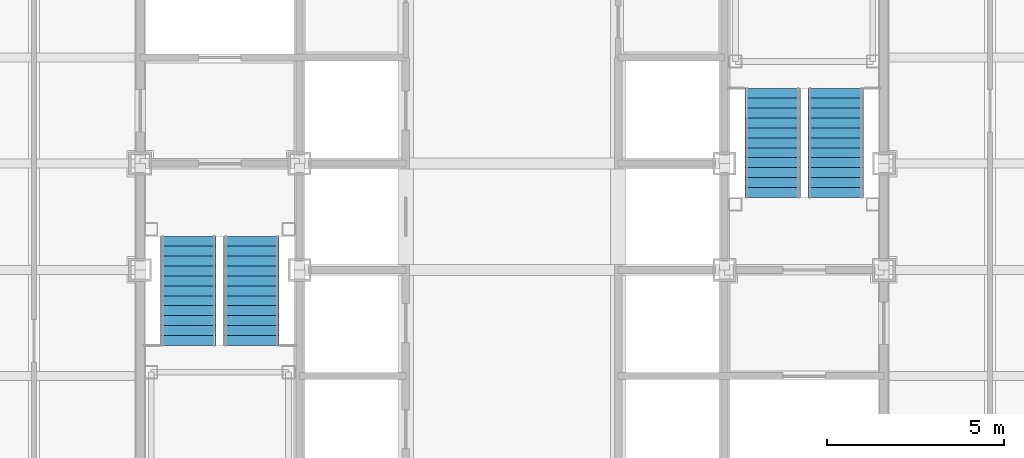
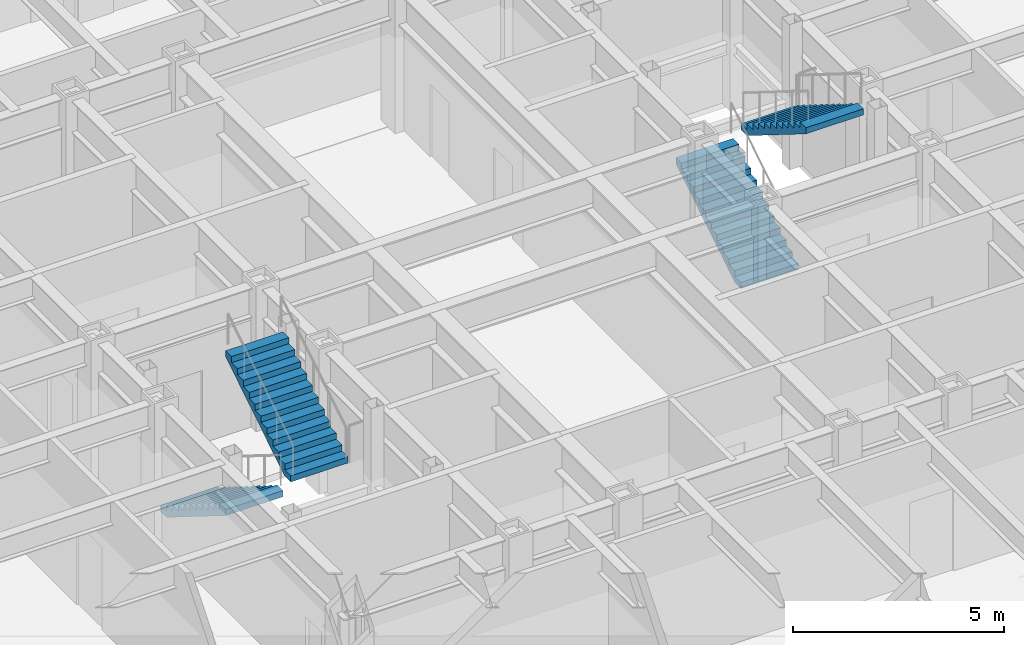
# One storey, part 14 of 16: 4 stair flights, 2 elements without a shape of their own.
"""IFC4 building model written with IfcOpenShell, lengths in metres."""

from ifc_helpers import new_model, si_unit, direction, frame, origin, place, context, subcontext, project, spatial, faceted_brep, material, type_object, element, aggregate, save


model = new_model("IFC4")

# Units and contexts
model_context = context("Model", 3, precision=1e-05, world=origin(), true_north=direction((0.0, 1.0)))
body_context = subcontext(model_context, "Body", "Model", "MODEL_VIEW")
ifc_project = project(units=[si_unit("LENGTHUNIT", "METRE"), si_unit("AREAUNIT", "SQUARE_METRE"), si_unit("VOLUMEUNIT", "CUBIC_METRE"), si_unit("PLANEANGLEUNIT", "RADIAN"), si_unit("MASSUNIT", "GRAM", prefix="KILO")], contexts=[model_context])

# Site, building, storey
site_placement = place(None, origin())
site = spatial("IfcSite", under=ifc_project, at=site_placement, CompositionType="ELEMENT")
building_placement = place(site_placement, origin())
building = spatial("IfcBuilding", under=site, at=building_placement, Name="Chuquiago Exchange Tower", CompositionType="ELEMENT")
storey_placement = place(building_placement, frame((0.0, 0.0, 205.5)))
storey = spatial("IfcBuildingStorey", under=building, at=storey_placement, Name="L45", CompositionType="ELEMENT", Elevation=205.5)

# Stair, stair flights
ifc_material_1 = material(Name="Concrete C30/37, precast", Category="concrete")
stair_type_1 = type_object("IfcStairType", Name="ST1 half-turn stair 4200", PredefinedType="HALF_TURN_STAIR", material=ifc_material_1)
stair_1_placement = place(storey_placement, origin())
stair_1 = element("IfcStair", 1, at=stair_1_placement, inside=storey, type_object=stair_type_1, Name="Stair ST1 L45", PredefinedType="HALF_TURN_STAIR")
ifc_material_2 = material(Name="Concrete C30/37, precast", Category="concrete")
stair_flight_type = type_object("IfcStairFlightType", Name="ST-F flight 1570 for 4200 storey", PredefinedType="STRAIGHT", material=ifc_material_2)
stair_flight_1_placement = place(storey_placement, frame((13.360107421875, 21.949951171875, 0.0), z_axis=(0.0, 0.0, 1.0), x_axis=(0.0, -1.0, 0.0)))
stair_flight_1 = element("IfcStairFlight", 2, at=stair_flight_1_placement, type_object=stair_flight_type, Name="ST1 flight 1", NumberOfRisers=12, NumberOfTreads=11, PredefinedType="STRAIGHT", RiserHeight=0.175, TreadLength=0.28, context=body_context, shape_type="Brep", body=[
    faceted_brep([(0.0, 0.78515625, 0.0), (0.0, 0.78515625, 0.175048828125), (0.280029296875, 0.78515625, 0.175048828125), (0.280029296875, 0.78515625, 0.35009765625), (0.56005859375, 0.78515625, 0.35009765625), (0.56005859375, 0.78515625, 0.52490234375), (0.840087890625, 0.78515625, 0.52490234375), (0.840087890625, 0.78515625, 0.699951171875), (1.1201171875, 0.78515625, 0.699951171875), (1.1201171875, 0.78515625, 0.875), (1.39990234375, 0.78515625, 0.875), (1.39990234375, 0.78515625, 1.050048828125), (1.679931640625, 0.78515625, 1.050048828125), (1.679931640625, 0.78515625, 1.22509765625), (1.9599609375, 0.78515625, 1.22509765625), (1.9599609375, 0.78515625, 1.39990234375), (2.239990234375, 0.78515625, 1.39990234375), (2.239990234375, 0.78515625, 1.574951171875), (2.52001953125, 0.78515625, 1.574951171875), (2.52001953125, 0.78515625, 1.75), (2.800048828125, 0.78515625, 1.75), (2.800048828125, 0.78515625, 1.925048828125), (3.080078125, 0.78515625, 1.925048828125), (3.080078125, 0.78515625, 1.748291015625), (0.28271484375, 0.78515625, 0.0), (0.28271484375, -0.78515625, 0.0), (3.080078125, -0.78515625, 1.748291015625), (3.080078125, -0.78515625, 1.925048828125), (2.800048828125, -0.78515625, 1.925048828125), (2.800048828125, -0.78515625, 1.75), (2.52001953125, -0.78515625, 1.75), (2.52001953125, -0.78515625, 1.574951171875), (2.239990234375, -0.78515625, 1.574951171875), (2.239990234375, -0.78515625, 1.39990234375), (1.9599609375, -0.78515625, 1.39990234375), (1.9599609375, -0.78515625, 1.22509765625), (1.679931640625, -0.78515625, 1.22509765625), (1.679931640625, -0.78515625, 1.050048828125), (1.39990234375, -0.78515625, 1.050048828125), (1.39990234375, -0.78515625, 0.875), (1.1201171875, -0.78515625, 0.875), (1.1201171875, -0.78515625, 0.699951171875), (0.840087890625, -0.78515625, 0.699951171875), (0.840087890625, -0.78515625, 0.52490234375), (0.56005859375, -0.78515625, 0.52490234375), (0.56005859375, -0.78515625, 0.35009765625), (0.280029296875, -0.78515625, 0.35009765625), (0.280029296875, -0.78515625, 0.175048828125), (0.0, -0.78515625, 0.175048828125), (0.0, -0.78515625, 0.0), (0.0, 0.392578125, 0.0), (0.0, 0.392578125, 0.175048828125), (0.0, 0.0, 0.0), (0.0, 0.0, 0.175048828125), (0.0, -0.392578125, 0.0), (0.0, -0.392578125, 0.175048828125), (0.280029296875, 0.392578125, 0.175048828125), (0.280029296875, 0.0, 0.175048828125), (0.280029296875, -0.392578125, 0.175048828125), (0.280029296875, 0.392578125, 0.35009765625), (0.280029296875, 0.0, 0.35009765625), (0.280029296875, -0.392578125, 0.35009765625), (0.56005859375, 0.392578125, 0.35009765625), (0.56005859375, 0.0, 0.35009765625), (0.56005859375, -0.392578125, 0.35009765625), (0.56005859375, 0.392578125, 0.52490234375), (0.56005859375, 0.0, 0.52490234375), (0.56005859375, -0.392578125, 0.52490234375), (0.840087890625, 0.392578125, 0.52490234375), (0.840087890625, 0.0, 0.52490234375), (0.840087890625, -0.392578125, 0.52490234375), (0.840087890625, 0.392578125, 0.699951171875), (0.840087890625, 0.0, 0.699951171875), (0.840087890625, -0.392578125, 0.699951171875), (1.1201171875, 0.392578125, 0.699951171875), (1.1201171875, 0.0, 0.699951171875), (1.1201171875, -0.392578125, 0.699951171875), (1.1201171875, 0.392578125, 0.875), (1.1201171875, 0.0, 0.875), (1.1201171875, -0.392578125, 0.875), (1.39990234375, 0.392578125, 0.875), (1.39990234375, 0.0, 0.875), (1.39990234375, -0.392578125, 0.875), (1.39990234375, 0.392578125, 1.050048828125), (1.39990234375, 0.0, 1.050048828125), (1.39990234375, -0.392578125, 1.050048828125), (1.679931640625, 0.392578125, 1.050048828125), (1.679931640625, 0.0, 1.050048828125), (1.679931640625, -0.392578125, 1.050048828125), (1.679931640625, 0.392578125, 1.22509765625), (1.679931640625, 0.0, 1.22509765625), (1.679931640625, -0.392578125, 1.22509765625), (1.9599609375, 0.392578125, 1.22509765625), (1.9599609375, 0.0, 1.22509765625), (1.9599609375, -0.392578125, 1.22509765625), (1.9599609375, 0.392578125, 1.39990234375), (1.9599609375, 0.0, 1.39990234375), (1.9599609375, -0.392578125, 1.39990234375), (2.239990234375, 0.392578125, 1.39990234375), (2.239990234375, 0.0, 1.39990234375), (2.239990234375, -0.392578125, 1.39990234375), (2.239990234375, 0.392578125, 1.574951171875), (2.239990234375, 0.0, 1.574951171875), (2.239990234375, -0.392578125, 1.574951171875), (2.52001953125, 0.392578125, 1.574951171875), (2.52001953125, 0.0, 1.574951171875), (2.52001953125, -0.392578125, 1.574951171875), (2.52001953125, 0.392578125, 1.75), (2.52001953125, 0.0, 1.75), (2.52001953125, -0.392578125, 1.75), (2.800048828125, 0.392578125, 1.75), (2.800048828125, 0.0, 1.75), (2.800048828125, -0.392578125, 1.75), (2.800048828125, 0.392578125, 1.925048828125), (2.800048828125, 0.0, 1.925048828125), (2.800048828125, -0.392578125, 1.925048828125), (3.080078125, 0.392578125, 1.925048828125), (3.080078125, 0.0, 1.925048828125), (3.080078125, -0.392578125, 1.925048828125), (3.080078125, 0.392578125, 1.748291015625), (3.080078125, 0.0, 1.748291015625), (3.080078125, -0.392578125, 1.748291015625), (0.28271484375, 0.392578125, 0.0), (0.28271484375, 0.0, 0.0), (0.28271484375, -0.392578125, 0.0)], [[[0, 1, 2, 3, 4, 5, 6, 7, 8, 9, 10, 11, 12, 13, 14, 15, 16, 17, 18, 19, 20, 21, 22, 23, 24]], [[25, 26, 27, 28, 29, 30, 31, 32, 33, 34, 35, 36, 37, 38, 39, 40, 41, 42, 43, 44, 45, 46, 47, 48, 49]], [[1, 0, 50, 51]], [[51, 50, 52, 53]], [[53, 52, 54, 55]], [[55, 54, 49, 48]], [[2, 1, 51, 56]], [[56, 51, 53, 57]], [[57, 53, 55, 58]], [[58, 55, 48, 47]], [[3, 2, 56, 59]], [[59, 56, 57, 60]], [[60, 57, 58, 61]], [[61, 58, 47, 46]], [[4, 3, 59, 62]], [[62, 59, 60, 63]], [[63, 60, 61, 64]], [[64, 61, 46, 45]], [[5, 4, 62, 65]], [[65, 62, 63, 66]], [[66, 63, 64, 67]], [[67, 64, 45, 44]], [[6, 5, 65, 68]], [[68, 65, 66, 69]], [[69, 66, 67, 70]], [[70, 67, 44, 43]], [[7, 6, 68, 71]], [[71, 68, 69, 72]], [[72, 69, 70, 73]], [[73, 70, 43, 42]], [[8, 7, 71, 74]], [[74, 71, 72, 75]], [[75, 72, 73, 76]], [[76, 73, 42, 41]], [[9, 8, 74, 77]], [[77, 74, 75, 78]], [[78, 75, 76, 79]], [[79, 76, 41, 40]], [[10, 9, 77, 80]], [[80, 77, 78, 81]], [[81, 78, 79, 82]], [[82, 79, 40, 39]], [[11, 10, 80, 83]], [[83, 80, 81, 84]], [[84, 81, 82, 85]], [[85, 82, 39, 38]], [[12, 11, 83, 86]], [[86, 83, 84, 87]], [[87, 84, 85, 88]], [[88, 85, 38, 37]], [[13, 12, 86, 89]], [[89, 86, 87, 90]], [[90, 87, 88, 91]], [[91, 88, 37, 36]], [[14, 13, 89, 92]], [[92, 89, 90, 93]], [[93, 90, 91, 94]], [[94, 91, 36, 35]], [[15, 14, 92, 95]], [[95, 92, 93, 96]], [[96, 93, 94, 97]], [[97, 94, 35, 34]], [[16, 15, 95, 98]], [[98, 95, 96, 99]], [[99, 96, 97, 100]], [[100, 97, 34, 33]], [[17, 16, 98, 101]], [[101, 98, 99, 102]], [[102, 99, 100, 103]], [[103, 100, 33, 32]], [[18, 17, 101, 104]], [[104, 101, 102, 105]], [[105, 102, 103, 106]], [[106, 103, 32, 31]], [[19, 18, 104, 107]], [[107, 104, 105, 108]], [[108, 105, 106, 109]], [[109, 106, 31, 30]], [[20, 19, 107, 110]], [[110, 107, 108, 111]], [[111, 108, 109, 112]], [[112, 109, 30, 29]], [[21, 20, 110, 113]], [[113, 110, 111, 114]], [[114, 111, 112, 115]], [[115, 112, 29, 28]], [[22, 21, 113, 116]], [[116, 113, 114, 117]], [[117, 114, 115, 118]], [[118, 115, 28, 27]], [[23, 22, 116, 119]], [[119, 116, 117, 120]], [[120, 117, 118, 121]], [[121, 118, 27, 26]], [[24, 23, 119, 122]], [[122, 119, 120, 123]], [[123, 120, 121, 124]], [[124, 121, 26, 25]], [[0, 24, 122, 50]], [[50, 122, 123, 52]], [[52, 123, 124, 54]], [[54, 124, 25, 49]]]),
])
stair_flight_2_placement = place(storey_placement, frame((15.139892578125, 18.8701171875, 2.10009765625), z_axis=(0.0, 0.0, 1.0), x_axis=(0.0, 1.0, 0.0)))
stair_flight_2 = element("IfcStairFlight", 3, at=stair_flight_2_placement, type_object=stair_flight_type, Name="ST1 flight 2", NumberOfRisers=12, NumberOfTreads=11, PredefinedType="STRAIGHT", RiserHeight=0.175, TreadLength=0.28, context=body_context, shape_type="Brep", body=[
    faceted_brep([(0.0, 0.78515625, 0.0), (0.0, 0.78515625, 0.175048828125), (0.280029296875, 0.78515625, 0.175048828125), (0.280029296875, 0.78515625, 0.35009765625), (0.56005859375, 0.78515625, 0.35009765625), (0.56005859375, 0.78515625, 0.52490234375), (0.840087890625, 0.78515625, 0.52490234375), (0.840087890625, 0.78515625, 0.699951171875), (1.1201171875, 0.78515625, 0.699951171875), (1.1201171875, 0.78515625, 0.875), (1.39990234375, 0.78515625, 0.875), (1.39990234375, 0.78515625, 1.050048828125), (1.679931640625, 0.78515625, 1.050048828125), (1.679931640625, 0.78515625, 1.22509765625), (1.9599609375, 0.78515625, 1.22509765625), (1.9599609375, 0.78515625, 1.39990234375), (2.239990234375, 0.78515625, 1.39990234375), (2.239990234375, 0.78515625, 1.574951171875), (2.52001953125, 0.78515625, 1.574951171875), (2.52001953125, 0.78515625, 1.75), (2.800048828125, 0.78515625, 1.75), (2.800048828125, 0.78515625, 1.925048828125), (3.080078125, 0.78515625, 1.925048828125), (3.080078125, 0.78515625, 1.748291015625), (0.28271484375, 0.78515625, 0.0), (0.28271484375, -0.78515625, 0.0), (3.080078125, -0.78515625, 1.748291015625), (3.080078125, -0.78515625, 1.925048828125), (2.800048828125, -0.78515625, 1.925048828125), (2.800048828125, -0.78515625, 1.75), (2.52001953125, -0.78515625, 1.75), (2.52001953125, -0.78515625, 1.574951171875), (2.239990234375, -0.78515625, 1.574951171875), (2.239990234375, -0.78515625, 1.39990234375), (1.9599609375, -0.78515625, 1.39990234375), (1.9599609375, -0.78515625, 1.22509765625), (1.679931640625, -0.78515625, 1.22509765625), (1.679931640625, -0.78515625, 1.050048828125), (1.39990234375, -0.78515625, 1.050048828125), (1.39990234375, -0.78515625, 0.875), (1.1201171875, -0.78515625, 0.875), (1.1201171875, -0.78515625, 0.699951171875), (0.840087890625, -0.78515625, 0.699951171875), (0.840087890625, -0.78515625, 0.52490234375), (0.56005859375, -0.78515625, 0.52490234375), (0.56005859375, -0.78515625, 0.35009765625), (0.280029296875, -0.78515625, 0.35009765625), (0.280029296875, -0.78515625, 0.175048828125), (0.0, -0.78515625, 0.175048828125), (0.0, -0.78515625, 0.0), (0.0, 0.392578125, 0.0), (0.0, 0.392578125, 0.175048828125), (0.0, 0.0, 0.0), (0.0, 0.0, 0.175048828125), (0.0, -0.392578125, 0.0), (0.0, -0.392578125, 0.175048828125), (0.280029296875, 0.392578125, 0.175048828125), (0.280029296875, 0.0, 0.175048828125), (0.280029296875, -0.392578125, 0.175048828125), (0.280029296875, 0.392578125, 0.35009765625), (0.280029296875, 0.0, 0.35009765625), (0.280029296875, -0.392578125, 0.35009765625), (0.56005859375, 0.392578125, 0.35009765625), (0.56005859375, 0.0, 0.35009765625), (0.56005859375, -0.392578125, 0.35009765625), (0.56005859375, 0.392578125, 0.52490234375), (0.56005859375, 0.0, 0.52490234375), (0.56005859375, -0.392578125, 0.52490234375), (0.840087890625, 0.392578125, 0.52490234375), (0.840087890625, 0.0, 0.52490234375), (0.840087890625, -0.392578125, 0.52490234375), (0.840087890625, 0.392578125, 0.699951171875), (0.840087890625, 0.0, 0.699951171875), (0.840087890625, -0.392578125, 0.699951171875), (1.1201171875, 0.392578125, 0.699951171875), (1.1201171875, 0.0, 0.699951171875), (1.1201171875, -0.392578125, 0.699951171875), (1.1201171875, 0.392578125, 0.875), (1.1201171875, 0.0, 0.875), (1.1201171875, -0.392578125, 0.875), (1.39990234375, 0.392578125, 0.875), (1.39990234375, 0.0, 0.875), (1.39990234375, -0.392578125, 0.875), (1.39990234375, 0.392578125, 1.050048828125), (1.39990234375, 0.0, 1.050048828125), (1.39990234375, -0.392578125, 1.050048828125), (1.679931640625, 0.392578125, 1.050048828125), (1.679931640625, 0.0, 1.050048828125), (1.679931640625, -0.392578125, 1.050048828125), (1.679931640625, 0.392578125, 1.22509765625), (1.679931640625, 0.0, 1.22509765625), (1.679931640625, -0.392578125, 1.22509765625), (1.9599609375, 0.392578125, 1.22509765625), (1.9599609375, 0.0, 1.22509765625), (1.9599609375, -0.392578125, 1.22509765625), (1.9599609375, 0.392578125, 1.39990234375), (1.9599609375, 0.0, 1.39990234375), (1.9599609375, -0.392578125, 1.39990234375), (2.239990234375, 0.392578125, 1.39990234375), (2.239990234375, 0.0, 1.39990234375), (2.239990234375, -0.392578125, 1.39990234375), (2.239990234375, 0.392578125, 1.574951171875), (2.239990234375, 0.0, 1.574951171875), (2.239990234375, -0.392578125, 1.574951171875), (2.52001953125, 0.392578125, 1.574951171875), (2.52001953125, 0.0, 1.574951171875), (2.52001953125, -0.392578125, 1.574951171875), (2.52001953125, 0.392578125, 1.75), (2.52001953125, 0.0, 1.75), (2.52001953125, -0.392578125, 1.75), (2.800048828125, 0.392578125, 1.75), (2.800048828125, 0.0, 1.75), (2.800048828125, -0.392578125, 1.75), (2.800048828125, 0.392578125, 1.925048828125), (2.800048828125, 0.0, 1.925048828125), (2.800048828125, -0.392578125, 1.925048828125), (3.080078125, 0.392578125, 1.925048828125), (3.080078125, 0.0, 1.925048828125), (3.080078125, -0.392578125, 1.925048828125), (3.080078125, 0.392578125, 1.748291015625), (3.080078125, 0.0, 1.748291015625), (3.080078125, -0.392578125, 1.748291015625), (0.28271484375, 0.392578125, 0.0), (0.28271484375, 0.0, 0.0), (0.28271484375, -0.392578125, 0.0)], [[[0, 1, 2, 3, 4, 5, 6, 7, 8, 9, 10, 11, 12, 13, 14, 15, 16, 17, 18, 19, 20, 21, 22, 23, 24]], [[25, 26, 27, 28, 29, 30, 31, 32, 33, 34, 35, 36, 37, 38, 39, 40, 41, 42, 43, 44, 45, 46, 47, 48, 49]], [[1, 0, 50, 51]], [[51, 50, 52, 53]], [[53, 52, 54, 55]], [[55, 54, 49, 48]], [[2, 1, 51, 56]], [[56, 51, 53, 57]], [[57, 53, 55, 58]], [[58, 55, 48, 47]], [[3, 2, 56, 59]], [[59, 56, 57, 60]], [[60, 57, 58, 61]], [[61, 58, 47, 46]], [[4, 3, 59, 62]], [[62, 59, 60, 63]], [[63, 60, 61, 64]], [[64, 61, 46, 45]], [[5, 4, 62, 65]], [[65, 62, 63, 66]], [[66, 63, 64, 67]], [[67, 64, 45, 44]], [[6, 5, 65, 68]], [[68, 65, 66, 69]], [[69, 66, 67, 70]], [[70, 67, 44, 43]], [[7, 6, 68, 71]], [[71, 68, 69, 72]], [[72, 69, 70, 73]], [[73, 70, 43, 42]], [[8, 7, 71, 74]], [[74, 71, 72, 75]], [[75, 72, 73, 76]], [[76, 73, 42, 41]], [[9, 8, 74, 77]], [[77, 74, 75, 78]], [[78, 75, 76, 79]], [[79, 76, 41, 40]], [[10, 9, 77, 80]], [[80, 77, 78, 81]], [[81, 78, 79, 82]], [[82, 79, 40, 39]], [[11, 10, 80, 83]], [[83, 80, 81, 84]], [[84, 81, 82, 85]], [[85, 82, 39, 38]], [[12, 11, 83, 86]], [[86, 83, 84, 87]], [[87, 84, 85, 88]], [[88, 85, 38, 37]], [[13, 12, 86, 89]], [[89, 86, 87, 90]], [[90, 87, 88, 91]], [[91, 88, 37, 36]], [[14, 13, 89, 92]], [[92, 89, 90, 93]], [[93, 90, 91, 94]], [[94, 91, 36, 35]], [[15, 14, 92, 95]], [[95, 92, 93, 96]], [[96, 93, 94, 97]], [[97, 94, 35, 34]], [[16, 15, 95, 98]], [[98, 95, 96, 99]], [[99, 96, 97, 100]], [[100, 97, 34, 33]], [[17, 16, 98, 101]], [[101, 98, 99, 102]], [[102, 99, 100, 103]], [[103, 100, 33, 32]], [[18, 17, 101, 104]], [[104, 101, 102, 105]], [[105, 102, 103, 106]], [[106, 103, 32, 31]], [[19, 18, 104, 107]], [[107, 104, 105, 108]], [[108, 105, 106, 109]], [[109, 106, 31, 30]], [[20, 19, 107, 110]], [[110, 107, 108, 111]], [[111, 108, 109, 112]], [[112, 109, 30, 29]], [[21, 20, 110, 113]], [[113, 110, 111, 114]], [[114, 111, 112, 115]], [[115, 112, 29, 28]], [[22, 21, 113, 116]], [[116, 113, 114, 117]], [[117, 114, 115, 118]], [[118, 115, 28, 27]], [[23, 22, 116, 119]], [[119, 116, 117, 120]], [[120, 117, 118, 121]], [[121, 118, 27, 26]], [[24, 23, 119, 122]], [[122, 119, 120, 123]], [[123, 120, 121, 124]], [[124, 121, 26, 25]], [[0, 24, 122, 50]], [[50, 122, 123, 52]], [[52, 123, 124, 54]], [[54, 124, 25, 49]]]),
])
aggregate(stair_1, [stair_flight_1, stair_flight_2])

ifc_material_3 = material(Name="Concrete C30/37, precast", Category="concrete")
stair_type_2 = type_object("IfcStairType", Name="ST2 half-turn stair 4200", PredefinedType="HALF_TURN_STAIR", material=ifc_material_3)
stair_2_placement = place(storey_placement, origin())
stair_2 = element("IfcStair", 4, at=stair_2_placement, inside=storey, type_object=stair_type_2, Name="Stair ST2 L45", PredefinedType="HALF_TURN_STAIR")
stair_flight_3_placement = place(storey_placement, frame((29.860107421875, 23.050048828125, 0.0), z_axis=(0.0, 0.0, 1.0), x_axis=(0.0, 1.0, 0.0)))
stair_flight_3 = element("IfcStairFlight", 5, at=stair_flight_3_placement, type_object=stair_flight_type, Name="ST2 flight 1", NumberOfRisers=12, NumberOfTreads=11, PredefinedType="STRAIGHT", RiserHeight=0.175, TreadLength=0.28, context=body_context, shape_type="Brep", body=[
    faceted_brep([(0.0, 0.78515625, 0.0), (0.0, 0.78515625, 0.175048828125), (0.280029296875, 0.78515625, 0.175048828125), (0.280029296875, 0.78515625, 0.35009765625), (0.56005859375, 0.78515625, 0.35009765625), (0.56005859375, 0.78515625, 0.52490234375), (0.840087890625, 0.78515625, 0.52490234375), (0.840087890625, 0.78515625, 0.699951171875), (1.1201171875, 0.78515625, 0.699951171875), (1.1201171875, 0.78515625, 0.875), (1.39990234375, 0.78515625, 0.875), (1.39990234375, 0.78515625, 1.050048828125), (1.679931640625, 0.78515625, 1.050048828125), (1.679931640625, 0.78515625, 1.22509765625), (1.9599609375, 0.78515625, 1.22509765625), (1.9599609375, 0.78515625, 1.39990234375), (2.239990234375, 0.78515625, 1.39990234375), (2.239990234375, 0.78515625, 1.574951171875), (2.52001953125, 0.78515625, 1.574951171875), (2.52001953125, 0.78515625, 1.75), (2.800048828125, 0.78515625, 1.75), (2.800048828125, 0.78515625, 1.925048828125), (3.080078125, 0.78515625, 1.925048828125), (3.080078125, 0.78515625, 1.748291015625), (0.28271484375, 0.78515625, 0.0), (0.28271484375, -0.78515625, 0.0), (3.080078125, -0.78515625, 1.748291015625), (3.080078125, -0.78515625, 1.925048828125), (2.800048828125, -0.78515625, 1.925048828125), (2.800048828125, -0.78515625, 1.75), (2.52001953125, -0.78515625, 1.75), (2.52001953125, -0.78515625, 1.574951171875), (2.239990234375, -0.78515625, 1.574951171875), (2.239990234375, -0.78515625, 1.39990234375), (1.9599609375, -0.78515625, 1.39990234375), (1.9599609375, -0.78515625, 1.22509765625), (1.679931640625, -0.78515625, 1.22509765625), (1.679931640625, -0.78515625, 1.050048828125), (1.39990234375, -0.78515625, 1.050048828125), (1.39990234375, -0.78515625, 0.875), (1.1201171875, -0.78515625, 0.875), (1.1201171875, -0.78515625, 0.699951171875), (0.840087890625, -0.78515625, 0.699951171875), (0.840087890625, -0.78515625, 0.52490234375), (0.56005859375, -0.78515625, 0.52490234375), (0.56005859375, -0.78515625, 0.35009765625), (0.280029296875, -0.78515625, 0.35009765625), (0.280029296875, -0.78515625, 0.175048828125), (0.0, -0.78515625, 0.175048828125), (0.0, -0.78515625, 0.0), (0.0, 0.392578125, 0.0), (0.0, 0.392578125, 0.175048828125), (0.0, 0.0, 0.0), (0.0, 0.0, 0.175048828125), (0.0, -0.392578125, 0.0), (0.0, -0.392578125, 0.175048828125), (0.280029296875, 0.392578125, 0.175048828125), (0.280029296875, 0.0, 0.175048828125), (0.280029296875, -0.392578125, 0.175048828125), (0.280029296875, 0.392578125, 0.35009765625), (0.280029296875, 0.0, 0.35009765625), (0.280029296875, -0.392578125, 0.35009765625), (0.56005859375, 0.392578125, 0.35009765625), (0.56005859375, 0.0, 0.35009765625), (0.56005859375, -0.392578125, 0.35009765625), (0.56005859375, 0.392578125, 0.52490234375), (0.56005859375, 0.0, 0.52490234375), (0.56005859375, -0.392578125, 0.52490234375), (0.840087890625, 0.392578125, 0.52490234375), (0.840087890625, 0.0, 0.52490234375), (0.840087890625, -0.392578125, 0.52490234375), (0.840087890625, 0.392578125, 0.699951171875), (0.840087890625, 0.0, 0.699951171875), (0.840087890625, -0.392578125, 0.699951171875), (1.1201171875, 0.392578125, 0.699951171875), (1.1201171875, 0.0, 0.699951171875), (1.1201171875, -0.392578125, 0.699951171875), (1.1201171875, 0.392578125, 0.875), (1.1201171875, 0.0, 0.875), (1.1201171875, -0.392578125, 0.875), (1.39990234375, 0.392578125, 0.875), (1.39990234375, 0.0, 0.875), (1.39990234375, -0.392578125, 0.875), (1.39990234375, 0.392578125, 1.050048828125), (1.39990234375, 0.0, 1.050048828125), (1.39990234375, -0.392578125, 1.050048828125), (1.679931640625, 0.392578125, 1.050048828125), (1.679931640625, 0.0, 1.050048828125), (1.679931640625, -0.392578125, 1.050048828125), (1.679931640625, 0.392578125, 1.22509765625), (1.679931640625, 0.0, 1.22509765625), (1.679931640625, -0.392578125, 1.22509765625), (1.9599609375, 0.392578125, 1.22509765625), (1.9599609375, 0.0, 1.22509765625), (1.9599609375, -0.392578125, 1.22509765625), (1.9599609375, 0.392578125, 1.39990234375), (1.9599609375, 0.0, 1.39990234375), (1.9599609375, -0.392578125, 1.39990234375), (2.239990234375, 0.392578125, 1.39990234375), (2.239990234375, 0.0, 1.39990234375), (2.239990234375, -0.392578125, 1.39990234375), (2.239990234375, 0.392578125, 1.574951171875), (2.239990234375, 0.0, 1.574951171875), (2.239990234375, -0.392578125, 1.574951171875), (2.52001953125, 0.392578125, 1.574951171875), (2.52001953125, 0.0, 1.574951171875), (2.52001953125, -0.392578125, 1.574951171875), (2.52001953125, 0.392578125, 1.75), (2.52001953125, 0.0, 1.75), (2.52001953125, -0.392578125, 1.75), (2.800048828125, 0.392578125, 1.75), (2.800048828125, 0.0, 1.75), (2.800048828125, -0.392578125, 1.75), (2.800048828125, 0.392578125, 1.925048828125), (2.800048828125, 0.0, 1.925048828125), (2.800048828125, -0.392578125, 1.925048828125), (3.080078125, 0.392578125, 1.925048828125), (3.080078125, 0.0, 1.925048828125), (3.080078125, -0.392578125, 1.925048828125), (3.080078125, 0.392578125, 1.748291015625), (3.080078125, 0.0, 1.748291015625), (3.080078125, -0.392578125, 1.748291015625), (0.28271484375, 0.392578125, 0.0), (0.28271484375, 0.0, 0.0), (0.28271484375, -0.392578125, 0.0)], [[[0, 1, 2, 3, 4, 5, 6, 7, 8, 9, 10, 11, 12, 13, 14, 15, 16, 17, 18, 19, 20, 21, 22, 23, 24]], [[25, 26, 27, 28, 29, 30, 31, 32, 33, 34, 35, 36, 37, 38, 39, 40, 41, 42, 43, 44, 45, 46, 47, 48, 49]], [[1, 0, 50, 51]], [[51, 50, 52, 53]], [[53, 52, 54, 55]], [[55, 54, 49, 48]], [[2, 1, 51, 56]], [[56, 51, 53, 57]], [[57, 53, 55, 58]], [[58, 55, 48, 47]], [[3, 2, 56, 59]], [[59, 56, 57, 60]], [[60, 57, 58, 61]], [[61, 58, 47, 46]], [[4, 3, 59, 62]], [[62, 59, 60, 63]], [[63, 60, 61, 64]], [[64, 61, 46, 45]], [[5, 4, 62, 65]], [[65, 62, 63, 66]], [[66, 63, 64, 67]], [[67, 64, 45, 44]], [[6, 5, 65, 68]], [[68, 65, 66, 69]], [[69, 66, 67, 70]], [[70, 67, 44, 43]], [[7, 6, 68, 71]], [[71, 68, 69, 72]], [[72, 69, 70, 73]], [[73, 70, 43, 42]], [[8, 7, 71, 74]], [[74, 71, 72, 75]], [[75, 72, 73, 76]], [[76, 73, 42, 41]], [[9, 8, 74, 77]], [[77, 74, 75, 78]], [[78, 75, 76, 79]], [[79, 76, 41, 40]], [[10, 9, 77, 80]], [[80, 77, 78, 81]], [[81, 78, 79, 82]], [[82, 79, 40, 39]], [[11, 10, 80, 83]], [[83, 80, 81, 84]], [[84, 81, 82, 85]], [[85, 82, 39, 38]], [[12, 11, 83, 86]], [[86, 83, 84, 87]], [[87, 84, 85, 88]], [[88, 85, 38, 37]], [[13, 12, 86, 89]], [[89, 86, 87, 90]], [[90, 87, 88, 91]], [[91, 88, 37, 36]], [[14, 13, 89, 92]], [[92, 89, 90, 93]], [[93, 90, 91, 94]], [[94, 91, 36, 35]], [[15, 14, 92, 95]], [[95, 92, 93, 96]], [[96, 93, 94, 97]], [[97, 94, 35, 34]], [[16, 15, 95, 98]], [[98, 95, 96, 99]], [[99, 96, 97, 100]], [[100, 97, 34, 33]], [[17, 16, 98, 101]], [[101, 98, 99, 102]], [[102, 99, 100, 103]], [[103, 100, 33, 32]], [[18, 17, 101, 104]], [[104, 101, 102, 105]], [[105, 102, 103, 106]], [[106, 103, 32, 31]], [[19, 18, 104, 107]], [[107, 104, 105, 108]], [[108, 105, 106, 109]], [[109, 106, 31, 30]], [[20, 19, 107, 110]], [[110, 107, 108, 111]], [[111, 108, 109, 112]], [[112, 109, 30, 29]], [[21, 20, 110, 113]], [[113, 110, 111, 114]], [[114, 111, 112, 115]], [[115, 112, 29, 28]], [[22, 21, 113, 116]], [[116, 113, 114, 117]], [[117, 114, 115, 118]], [[118, 115, 28, 27]], [[23, 22, 116, 119]], [[119, 116, 117, 120]], [[120, 117, 118, 121]], [[121, 118, 27, 26]], [[24, 23, 119, 122]], [[122, 119, 120, 123]], [[123, 120, 121, 124]], [[124, 121, 26, 25]], [[0, 24, 122, 50]], [[50, 122, 123, 52]], [[52, 123, 124, 54]], [[54, 124, 25, 49]]]),
])
stair_flight_4_placement = place(storey_placement, frame((31.639892578125, 26.1298828125, 2.10009765625), z_axis=(0.0, 0.0, 1.0), x_axis=(0.0, -1.0, 0.0)))
stair_flight_4 = element("IfcStairFlight", 6, at=stair_flight_4_placement, type_object=stair_flight_type, Name="ST2 flight 2", NumberOfRisers=12, NumberOfTreads=11, PredefinedType="STRAIGHT", RiserHeight=0.175, TreadLength=0.28, context=body_context, shape_type="Brep", body=[
    faceted_brep([(0.0, 0.78515625, 0.0), (0.0, 0.78515625, 0.175048828125), (0.280029296875, 0.78515625, 0.175048828125), (0.280029296875, 0.78515625, 0.35009765625), (0.56005859375, 0.78515625, 0.35009765625), (0.56005859375, 0.78515625, 0.52490234375), (0.840087890625, 0.78515625, 0.52490234375), (0.840087890625, 0.78515625, 0.699951171875), (1.1201171875, 0.78515625, 0.699951171875), (1.1201171875, 0.78515625, 0.875), (1.39990234375, 0.78515625, 0.875), (1.39990234375, 0.78515625, 1.050048828125), (1.679931640625, 0.78515625, 1.050048828125), (1.679931640625, 0.78515625, 1.22509765625), (1.9599609375, 0.78515625, 1.22509765625), (1.9599609375, 0.78515625, 1.39990234375), (2.239990234375, 0.78515625, 1.39990234375), (2.239990234375, 0.78515625, 1.574951171875), (2.52001953125, 0.78515625, 1.574951171875), (2.52001953125, 0.78515625, 1.75), (2.800048828125, 0.78515625, 1.75), (2.800048828125, 0.78515625, 1.925048828125), (3.080078125, 0.78515625, 1.925048828125), (3.080078125, 0.78515625, 1.748291015625), (0.28271484375, 0.78515625, 0.0), (0.28271484375, -0.78515625, 0.0), (3.080078125, -0.78515625, 1.748291015625), (3.080078125, -0.78515625, 1.925048828125), (2.800048828125, -0.78515625, 1.925048828125), (2.800048828125, -0.78515625, 1.75), (2.52001953125, -0.78515625, 1.75), (2.52001953125, -0.78515625, 1.574951171875), (2.239990234375, -0.78515625, 1.574951171875), (2.239990234375, -0.78515625, 1.39990234375), (1.9599609375, -0.78515625, 1.39990234375), (1.9599609375, -0.78515625, 1.22509765625), (1.679931640625, -0.78515625, 1.22509765625), (1.679931640625, -0.78515625, 1.050048828125), (1.39990234375, -0.78515625, 1.050048828125), (1.39990234375, -0.78515625, 0.875), (1.1201171875, -0.78515625, 0.875), (1.1201171875, -0.78515625, 0.699951171875), (0.840087890625, -0.78515625, 0.699951171875), (0.840087890625, -0.78515625, 0.52490234375), (0.56005859375, -0.78515625, 0.52490234375), (0.56005859375, -0.78515625, 0.35009765625), (0.280029296875, -0.78515625, 0.35009765625), (0.280029296875, -0.78515625, 0.175048828125), (0.0, -0.78515625, 0.175048828125), (0.0, -0.78515625, 0.0), (0.0, 0.392578125, 0.0), (0.0, 0.392578125, 0.175048828125), (0.0, 0.0, 0.0), (0.0, 0.0, 0.175048828125), (0.0, -0.392578125, 0.0), (0.0, -0.392578125, 0.175048828125), (0.280029296875, 0.392578125, 0.175048828125), (0.280029296875, 0.0, 0.175048828125), (0.280029296875, -0.392578125, 0.175048828125), (0.280029296875, 0.392578125, 0.35009765625), (0.280029296875, 0.0, 0.35009765625), (0.280029296875, -0.392578125, 0.35009765625), (0.56005859375, 0.392578125, 0.35009765625), (0.56005859375, 0.0, 0.35009765625), (0.56005859375, -0.392578125, 0.35009765625), (0.56005859375, 0.392578125, 0.52490234375), (0.56005859375, 0.0, 0.52490234375), (0.56005859375, -0.392578125, 0.52490234375), (0.840087890625, 0.392578125, 0.52490234375), (0.840087890625, 0.0, 0.52490234375), (0.840087890625, -0.392578125, 0.52490234375), (0.840087890625, 0.392578125, 0.699951171875), (0.840087890625, 0.0, 0.699951171875), (0.840087890625, -0.392578125, 0.699951171875), (1.1201171875, 0.392578125, 0.699951171875), (1.1201171875, 0.0, 0.699951171875), (1.1201171875, -0.392578125, 0.699951171875), (1.1201171875, 0.392578125, 0.875), (1.1201171875, 0.0, 0.875), (1.1201171875, -0.392578125, 0.875), (1.39990234375, 0.392578125, 0.875), (1.39990234375, 0.0, 0.875), (1.39990234375, -0.392578125, 0.875), (1.39990234375, 0.392578125, 1.050048828125), (1.39990234375, 0.0, 1.050048828125), (1.39990234375, -0.392578125, 1.050048828125), (1.679931640625, 0.392578125, 1.050048828125), (1.679931640625, 0.0, 1.050048828125), (1.679931640625, -0.392578125, 1.050048828125), (1.679931640625, 0.392578125, 1.22509765625), (1.679931640625, 0.0, 1.22509765625), (1.679931640625, -0.392578125, 1.22509765625), (1.9599609375, 0.392578125, 1.22509765625), (1.9599609375, 0.0, 1.22509765625), (1.9599609375, -0.392578125, 1.22509765625), (1.9599609375, 0.392578125, 1.39990234375), (1.9599609375, 0.0, 1.39990234375), (1.9599609375, -0.392578125, 1.39990234375), (2.239990234375, 0.392578125, 1.39990234375), (2.239990234375, 0.0, 1.39990234375), (2.239990234375, -0.392578125, 1.39990234375), (2.239990234375, 0.392578125, 1.574951171875), (2.239990234375, 0.0, 1.574951171875), (2.239990234375, -0.392578125, 1.574951171875), (2.52001953125, 0.392578125, 1.574951171875), (2.52001953125, 0.0, 1.574951171875), (2.52001953125, -0.392578125, 1.574951171875), (2.52001953125, 0.392578125, 1.75), (2.52001953125, 0.0, 1.75), (2.52001953125, -0.392578125, 1.75), (2.800048828125, 0.392578125, 1.75), (2.800048828125, 0.0, 1.75), (2.800048828125, -0.392578125, 1.75), (2.800048828125, 0.392578125, 1.925048828125), (2.800048828125, 0.0, 1.925048828125), (2.800048828125, -0.392578125, 1.925048828125), (3.080078125, 0.392578125, 1.925048828125), (3.080078125, 0.0, 1.925048828125), (3.080078125, -0.392578125, 1.925048828125), (3.080078125, 0.392578125, 1.748291015625), (3.080078125, 0.0, 1.748291015625), (3.080078125, -0.392578125, 1.748291015625), (0.28271484375, 0.392578125, 0.0), (0.28271484375, 0.0, 0.0), (0.28271484375, -0.392578125, 0.0)], [[[0, 1, 2, 3, 4, 5, 6, 7, 8, 9, 10, 11, 12, 13, 14, 15, 16, 17, 18, 19, 20, 21, 22, 23, 24]], [[25, 26, 27, 28, 29, 30, 31, 32, 33, 34, 35, 36, 37, 38, 39, 40, 41, 42, 43, 44, 45, 46, 47, 48, 49]], [[1, 0, 50, 51]], [[51, 50, 52, 53]], [[53, 52, 54, 55]], [[55, 54, 49, 48]], [[2, 1, 51, 56]], [[56, 51, 53, 57]], [[57, 53, 55, 58]], [[58, 55, 48, 47]], [[3, 2, 56, 59]], [[59, 56, 57, 60]], [[60, 57, 58, 61]], [[61, 58, 47, 46]], [[4, 3, 59, 62]], [[62, 59, 60, 63]], [[63, 60, 61, 64]], [[64, 61, 46, 45]], [[5, 4, 62, 65]], [[65, 62, 63, 66]], [[66, 63, 64, 67]], [[67, 64, 45, 44]], [[6, 5, 65, 68]], [[68, 65, 66, 69]], [[69, 66, 67, 70]], [[70, 67, 44, 43]], [[7, 6, 68, 71]], [[71, 68, 69, 72]], [[72, 69, 70, 73]], [[73, 70, 43, 42]], [[8, 7, 71, 74]], [[74, 71, 72, 75]], [[75, 72, 73, 76]], [[76, 73, 42, 41]], [[9, 8, 74, 77]], [[77, 74, 75, 78]], [[78, 75, 76, 79]], [[79, 76, 41, 40]], [[10, 9, 77, 80]], [[80, 77, 78, 81]], [[81, 78, 79, 82]], [[82, 79, 40, 39]], [[11, 10, 80, 83]], [[83, 80, 81, 84]], [[84, 81, 82, 85]], [[85, 82, 39, 38]], [[12, 11, 83, 86]], [[86, 83, 84, 87]], [[87, 84, 85, 88]], [[88, 85, 38, 37]], [[13, 12, 86, 89]], [[89, 86, 87, 90]], [[90, 87, 88, 91]], [[91, 88, 37, 36]], [[14, 13, 89, 92]], [[92, 89, 90, 93]], [[93, 90, 91, 94]], [[94, 91, 36, 35]], [[15, 14, 92, 95]], [[95, 92, 93, 96]], [[96, 93, 94, 97]], [[97, 94, 35, 34]], [[16, 15, 95, 98]], [[98, 95, 96, 99]], [[99, 96, 97, 100]], [[100, 97, 34, 33]], [[17, 16, 98, 101]], [[101, 98, 99, 102]], [[102, 99, 100, 103]], [[103, 100, 33, 32]], [[18, 17, 101, 104]], [[104, 101, 102, 105]], [[105, 102, 103, 106]], [[106, 103, 32, 31]], [[19, 18, 104, 107]], [[107, 104, 105, 108]], [[108, 105, 106, 109]], [[109, 106, 31, 30]], [[20, 19, 107, 110]], [[110, 107, 108, 111]], [[111, 108, 109, 112]], [[112, 109, 30, 29]], [[21, 20, 110, 113]], [[113, 110, 111, 114]], [[114, 111, 112, 115]], [[115, 112, 29, 28]], [[22, 21, 113, 116]], [[116, 113, 114, 117]], [[117, 114, 115, 118]], [[118, 115, 28, 27]], [[23, 22, 116, 119]], [[119, 116, 117, 120]], [[120, 117, 118, 121]], [[121, 118, 27, 26]], [[24, 23, 119, 122]], [[122, 119, 120, 123]], [[123, 120, 121, 124]], [[124, 121, 26, 25]], [[0, 24, 122, 50]], [[50, 122, 123, 52]], [[52, 123, 124, 54]], [[54, 124, 25, 49]]]),
])
aggregate(stair_2, [stair_flight_3, stair_flight_4])

save(model, "model.ifc")
